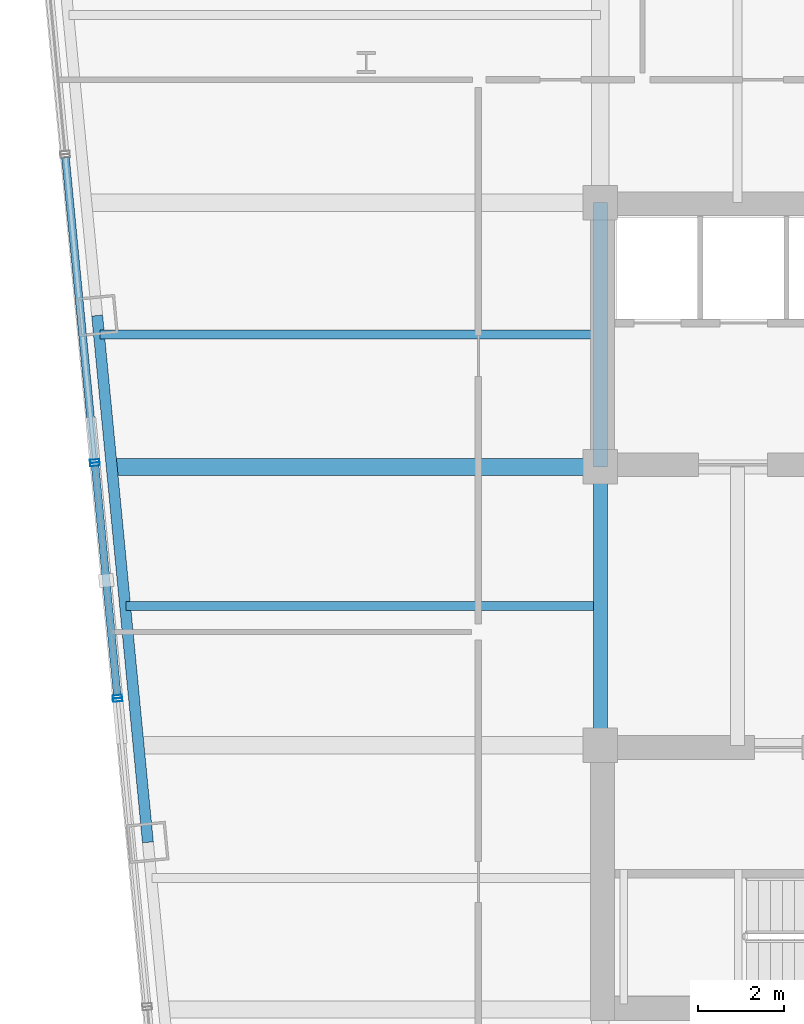
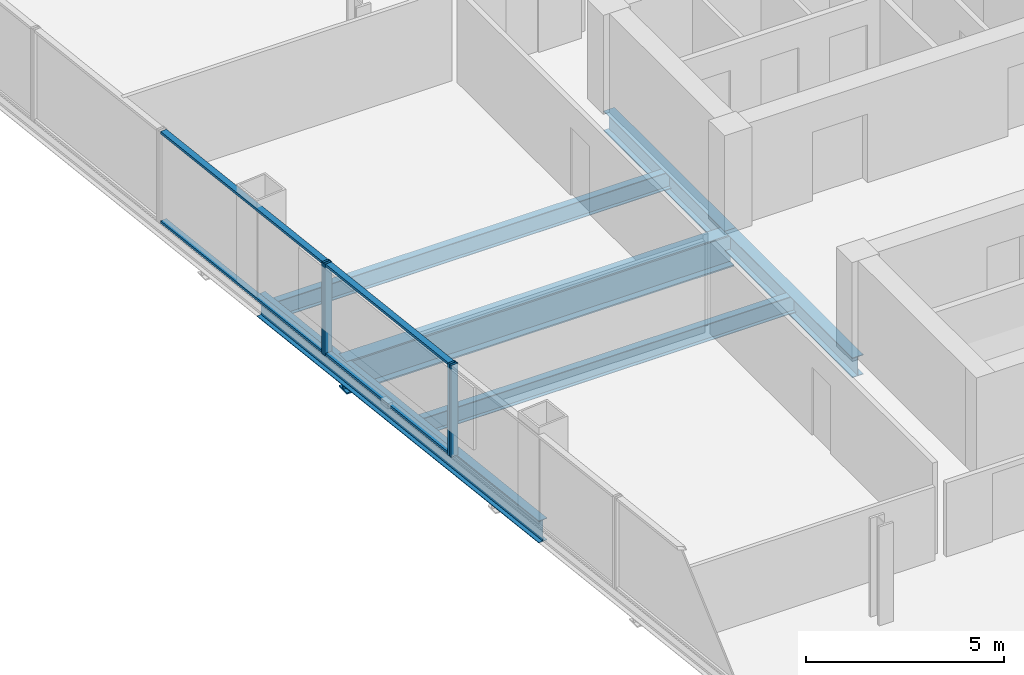
# One storey, part 7 of 27: 8 members, 6 beams, 3 elements without a shape of their own.
"""IFC4 building model written with IfcOpenShell, lengths in metres."""

from ifc_helpers import new_model, si_unit, direction, frame, origin, origin_2d, place, context, subcontext, project, spatial, hollow_rectangle, i_section, extrude, material, layer, layer_set, material_profile, profile_set, type_object, element, aggregate, save


model = new_model("IFC4")

# Units and contexts
model_context = context("Model", 3, precision=1e-05, world=origin(), true_north=direction((0.0, 1.0)))
body_context = subcontext(model_context, "Body", "Model", "MODEL_VIEW")
ifc_project = project(units=[si_unit("LENGTHUNIT", "METRE"), si_unit("AREAUNIT", "SQUARE_METRE"), si_unit("VOLUMEUNIT", "CUBIC_METRE"), si_unit("PLANEANGLEUNIT", "RADIAN"), si_unit("MASSUNIT", "GRAM", prefix="KILO")], contexts=[model_context])

# Site, building, storey
site_placement = place(None, origin())
site = spatial("IfcSite", under=ifc_project, at=site_placement, CompositionType="ELEMENT")
building_placement = place(site_placement, origin())
building = spatial("IfcBuilding", under=site, at=building_placement, Name="Qhalaya Broadcast Tower", CompositionType="ELEMENT")
storey_placement = place(building_placement, frame((0.0, 0.0, 84.699951171875)))
storey = spatial("IfcBuildingStorey", under=building, at=storey_placement, Name="L24", CompositionType="ELEMENT", Elevation=84.699951171875)

# Beams
ifc_material_1 = material(Name="Structural Steel ASTM A992 Grade 50", Category="steel")
ifc_material_profile_1 = material_profile(ifc_material_1, i_section(OverallWidth=0.2099609375, OverallDepth=0.535888671875, WebThickness=0.010986328125, FlangeThickness=0.017333984375, at=origin_2d()), Name="W21X68")
ifc_profile_set_1 = profile_set([ifc_material_profile_1], Name="Structural Steel ASTM A992 Grade 50")
beam_type_1 = type_object("IfcBeamType", Name="Composite Floor Joist J02", PredefinedType="JOIST", material=ifc_profile_set_1)
beam_1_placement = place(storey_placement, frame((-20.368408203125, 0.60009765625, -0.488037109375), z_axis=(1.0, 0.0, 0.0), x_axis=(0.0, 1.0, 0.0)))
element("IfcBeam", 1, at=beam_1_placement, inside=storey, type_object=beam_type_1, Name="L24 J02 L24-JWE4W-1", PredefinedType="JOIST", context=body_context, shape_type="SweptSolid", body=[
    extrude(i_section(OverallWidth=0.2099609375, OverallDepth=0.535888671875, WebThickness=0.010986328125, FlangeThickness=0.017333984375, at=origin_2d()), origin(), (0.0, 0.0, 1.0), 10.993408203125),
])
beam_2_placement = place(storey_placement, frame((-20.974853515625, 6.89990234375, -0.488037109375), z_axis=(1.0, 0.0, 0.0), x_axis=(0.0, 1.0, 0.0)))
element("IfcBeam", 2, at=beam_2_placement, inside=storey, type_object=beam_type_1, Name="L24 J02 L24-JWE5W-1", PredefinedType="JOIST", context=body_context, shape_type="SweptSolid", body=[
    extrude(i_section(OverallWidth=0.2099609375, OverallDepth=0.535888671875, WebThickness=0.010986328125, FlangeThickness=0.017333984375, at=origin_2d()), origin(), (0.0, 0.0, 1.0), 11.599853515625),
])
ifc_material_profile_2 = material_profile(ifc_material_1, i_section(OverallWidth=0.323974609375, OverallDepth=0.612060546875, WebThickness=0.0126953125, FlangeThickness=0.01904296875, at=origin_2d()), Name="W24X104")
ifc_profile_set_2 = profile_set([ifc_material_profile_2], Name="Structural Steel ASTM A992 Grade 50")
beam_type_2 = type_object("IfcBeamType", Name="Core Frame Tie Beam B04", PredefinedType="BEAM", material=ifc_profile_set_2)
beam_3_placement = place(storey_placement, frame((-9.375, 3.824951171875, -0.52587890625), z_axis=(0.0, 1.0, 0.0), x_axis=(-1.0, 0.0, 0.0)))
element("IfcBeam", 3, at=beam_3_placement, inside=storey, type_object=beam_type_2, Name="L24 B04 L24-CCN2", PredefinedType="BEAM", context=body_context, shape_type="SweptSolid", body=[
    extrude(i_section(OverallWidth=0.323974609375, OverallDepth=0.612060546875, WebThickness=0.0126953125, FlangeThickness=0.01904296875, at=origin_2d()), origin(), (0.0, 0.0, 1.0), 6.125),
])
beam_4_placement = place(storey_placement, frame((-9.375, -2.625, -0.52587890625), z_axis=(0.0, 1.0, 0.0), x_axis=(-1.0, 0.0, 0.0)))
element("IfcBeam", 4, at=beam_4_placement, inside=storey, type_object=beam_type_2, Name="L24 B04 L24-CCW", PredefinedType="BEAM", context=body_context, shape_type="SweptSolid", body=[
    extrude(i_section(OverallWidth=0.323974609375, OverallDepth=0.612060546875, WebThickness=0.0126953125, FlangeThickness=0.01904296875, at=origin_2d()), origin(), (0.0, 0.0, 1.0), 6.449951171875),
])
ifc_material_profile_3 = material_profile(ifc_material_1, i_section(OverallWidth=0.40087890625, OverallDepth=1.010986328125, WebThickness=0.023681640625, FlangeThickness=0.0419921875, at=origin_2d()), Name="W40X297")
ifc_profile_set_3 = profile_set([ifc_material_profile_3], Name="Structural Steel ASTM A992 Grade 50")
beam_type_3 = type_object("IfcBeamType", Name="Lower Block Primary Girder PG2", PredefinedType="USERDEFINED", material=ifc_profile_set_3)
beam_5_placement = place(storey_placement, frame((-20.6787109375, 3.824951171875, -0.725341796875), z_axis=(1.0, 0.0, 0.0), x_axis=(0.0, 1.0, 0.0)))
element("IfcBeam", 5, at=beam_5_placement, inside=storey, type_object=beam_type_3, Name="L24 PG2 L24-PGYW3-1", ObjectType="GIRDER", PredefinedType="USERDEFINED", context=body_context, shape_type="SweptSolid", body=[
    extrude(i_section(OverallWidth=0.40087890625, OverallDepth=1.010986328125, WebThickness=0.023681640625, FlangeThickness=0.0419921875, at=origin_2d()), origin(), (0.0, 0.0, 1.0), 11.3037109375),
])
ifc_material_profile_4 = material_profile(ifc_material_1, i_section(OverallWidth=0.25390625, OverallDepth=0.68310546875, WebThickness=0.012451171875, FlangeThickness=0.01904296875, at=origin_2d()), Name="W27X94")
ifc_profile_set_4 = profile_set([ifc_material_profile_4], Name="Structural Steel ASTM A992 Grade 50")
beam_type_4 = type_object("IfcBeamType", Name="Perimeter Ring Spandrel Beam SP1", PredefinedType="SPANDREL", material=ifc_profile_set_4)
beam_6_placement = place(storey_placement, frame((-21.036865234375, 7.335205078125, -0.5615234375), z_axis=(0.095851586307, -0.99539563662, 0.0), x_axis=(0.99539563662, 0.095851586307, 0.0)))
element("IfcBeam", 6, at=beam_6_placement, inside=storey, type_object=beam_type_4, Name="L24 SP1 L24-SPR-14", PredefinedType="SPANDREL", context=body_context, shape_type="SweptSolid", body=[
    extrude(i_section(OverallWidth=0.25390625, OverallDepth=0.68310546875, WebThickness=0.012451171875, FlangeThickness=0.01904296875, at=origin_2d()), origin(), (0.0, 0.0, 1.0), 12.2666015625),
])

# Curtain wall, member
ifc_material_2 = material(Name="Fired Architectural Terracotta", Category="masonry")
ifc_layer_1 = layer(ifc_material_2, 0.219970703125, Name="Fired Architectural Terracotta")
ifc_layer_set_1 = layer_set([ifc_layer_1], Name="Fired Architectural Terracotta")
curtain_wall_type_1 = type_object("IfcCurtainWallType", Name="Block-Cap Unitised Terracotta Spandrel Wall CW-07", PredefinedType="NOTDEFINED", material=ifc_layer_set_1)
curtain_wall_1_placement = place(storey_placement, origin())
curtain_wall_1 = element("IfcCurtainWall", 7, at=curtain_wall_1_placement, inside=storey, type_object=curtain_wall_type_1, Name="L24 Unitised Curtain Wall L24-CW-W3", PredefinedType="NOTDEFINED")
ifc_material_3 = material(Name="Anodised Aluminium 6063-T6", Category="aluminium")
ifc_material_profile_5 = material_profile(ifc_material_3, hollow_rectangle(XDim=0.074951171875, YDim=0.219970703125, WallThickness=0.00390625, at=origin_2d()), Name="ALU-MUL 75x220x4")
ifc_profile_set_5 = profile_set([ifc_material_profile_5], Name="Anodised Aluminium 6063-T6")
member_type_1 = type_object("IfcMemberType", Name="Unitised Curtain-Wall Mullion M01", PredefinedType="MULLION", material=ifc_profile_set_5)
member_1_placement = place(storey_placement, frame((-21.09375, 3.96142578125, 0.0), z_axis=(0.0, 0.0, 1.0), x_axis=(0.095850652435, -0.995395726547, 0.0)))
member_1 = element("IfcMember", 8, at=member_1_placement, type_object=member_type_1, Name="CW-07 mullion 2", PredefinedType="MULLION", context=body_context, shape_type="SweptSolid", body=[
    extrude(hollow_rectangle(XDim=0.074951171875, YDim=0.219970703125, WallThickness=0.00390625, at=origin_2d()), origin(), (0.0, 0.0, 1.0), 2.830078125),
])

# Curtain wall, members
ifc_material_4 = material(Name="Solar-Control Low-E Triple Glazing", Category="glass")
ifc_layer_2 = layer(ifc_material_4, 0.219970703125, Name="Solar-Control Low-E Triple Glazing")
ifc_layer_set_2 = layer_set([ifc_layer_2], Name="Solar-Control Low-E Triple Glazing")
curtain_wall_type_2 = type_object("IfcCurtainWallType", Name="Even-Block 4-Storey Double-Module Curtain Wall CW-03", PredefinedType="NOTDEFINED", material=ifc_layer_set_2)
curtain_wall_2_placement = place(storey_placement, origin())
curtain_wall_2 = element("IfcCurtainWall", 9, at=curtain_wall_2_placement, inside=storey, type_object=curtain_wall_type_2, Name="L24 Unitised Curtain Wall L24-CW-W4", PredefinedType="NOTDEFINED")
member_2_placement = place(storey_placement, frame((-21.086669921875, 3.88671875, 0.0), z_axis=(0.0, 0.0, 1.0), x_axis=(0.095843001098, -0.995396463295, 0.0)))
member_2 = element("IfcMember", 10, at=member_2_placement, type_object=member_type_1, Name="CW-03 mullion 1", PredefinedType="MULLION", context=body_context, shape_type="SweptSolid", body=[
    extrude(hollow_rectangle(XDim=0.074951171875, YDim=0.219970703125, WallThickness=0.00390625, at=origin_2d()), origin(), (0.0, 0.0, 1.0), 2.830078125),
])
member_3_placement = place(storey_placement, frame((-20.568115234375, -1.499267578125, 0.0), z_axis=(0.0, 0.0, 1.0), x_axis=(0.095843001098, -0.995396463295, 0.0)))
member_3 = element("IfcMember", 11, at=member_3_placement, type_object=member_type_1, Name="CW-03 mullion 2", PredefinedType="MULLION", context=body_context, shape_type="SweptSolid", body=[
    extrude(hollow_rectangle(XDim=0.074951171875, YDim=0.219970703125, WallThickness=0.00390625, at=origin_2d()), origin(), (0.0, 0.0, 1.0), 2.830078125),
])

# Curtain wall, member
curtain_wall_3_placement = place(storey_placement, origin())
curtain_wall_3 = element("IfcCurtainWall", 12, at=curtain_wall_3_placement, inside=storey, type_object=curtain_wall_type_1, Name="L24 Unitised Curtain Wall L24-CW-W5", PredefinedType="NOTDEFINED")
member_4_placement = place(storey_placement, frame((-20.560791015625, -1.573974609375, 0.0), z_axis=(0.0, 0.0, 1.0), x_axis=(0.095850652435, -0.995395726547, 0.0)))
member_4 = element("IfcMember", 13, at=member_4_placement, type_object=member_type_1, Name="CW-07 mullion 1", PredefinedType="MULLION", context=body_context, shape_type="SweptSolid", body=[
    extrude(hollow_rectangle(XDim=0.074951171875, YDim=0.219970703125, WallThickness=0.00390625, at=origin_2d()), origin(), (0.0, 0.0, 1.0), 2.830078125),
])
aggregate(curtain_wall_3, [member_4])

# Member
ifc_material_profile_6 = material_profile(ifc_material_3, hollow_rectangle(XDim=0.074951171875, YDim=0.179931640625, WallThickness=0.00390625, at=origin_2d()), Name="ALU-TRN 75x180x4")
ifc_profile_set_6 = profile_set([ifc_material_profile_6], Name="Anodised Aluminium 6063-T6")
member_type_2 = type_object("IfcMemberType", Name="Unitised Curtain-Wall Transom T01", PredefinedType="USERDEFINED", material=ifc_profile_set_6)
member_5_placement = place(storey_placement, frame((-21.771240234375, 10.997314453125, 0.03759765625), z_axis=(0.095838119582, -0.995396933306, 0.0), x_axis=(0.0, 0.0, 1.0)))
member_5 = element("IfcMember", 14, at=member_5_placement, type_object=member_type_2, Name="CW-07 transom 1.1", ObjectType="TRANSOM", PredefinedType="USERDEFINED", context=body_context, shape_type="SweptSolid", body=[
    extrude(hollow_rectangle(XDim=0.074951171875, YDim=0.179931640625, WallThickness=0.00390625, at=origin_2d()), origin(), (0.0, 0.0, 1.0), 7.031005859375),
])

member_6_placement = place(storey_placement, frame((-21.771240234375, 10.997314453125, 2.79248046875), z_axis=(0.095838119582, -0.995396933306, 0.0), x_axis=(0.0, 0.0, 1.0)))
member_6 = element("IfcMember", 15, at=member_6_placement, type_object=member_type_2, Name="CW-07 transom 1.2", ObjectType="TRANSOM", PredefinedType="USERDEFINED", context=body_context, shape_type="SweptSolid", body=[
    extrude(hollow_rectangle(XDim=0.074951171875, YDim=0.179931640625, WallThickness=0.00390625, at=origin_2d()), origin(), (0.0, 0.0, 1.0), 7.031005859375),
])

aggregate(curtain_wall_1, [member_1, member_5, member_6])

member_7_placement = place(storey_placement, frame((-21.0830078125, 3.849365234375, 0.03759765625), z_axis=(0.09585189358, -0.995395607031, 0.0), x_axis=(0.0, 0.0, 1.0)))
member_7 = element("IfcMember", 16, at=member_7_placement, type_object=member_type_2, Name="CW-03 transom 1.1", ObjectType="TRANSOM", PredefinedType="USERDEFINED", context=body_context, shape_type="SweptSolid", body=[
    extrude(hollow_rectangle(XDim=0.074951171875, YDim=0.179931640625, WallThickness=0.00390625, at=origin_2d()), origin(), (0.0, 0.0, 1.0), 5.336181640625),
])

member_8_placement = place(storey_placement, frame((-21.0830078125, 3.849365234375, 2.79248046875), z_axis=(0.09585189358, -0.995395607031, 0.0), x_axis=(0.0, 0.0, 1.0)))
member_8 = element("IfcMember", 17, at=member_8_placement, type_object=member_type_2, Name="CW-03 transom 1.2", ObjectType="TRANSOM", PredefinedType="USERDEFINED", context=body_context, shape_type="SweptSolid", body=[
    extrude(hollow_rectangle(XDim=0.074951171875, YDim=0.179931640625, WallThickness=0.00390625, at=origin_2d()), origin(), (0.0, 0.0, 1.0), 5.336181640625),
])

aggregate(curtain_wall_2, [member_2, member_3, member_7, member_8])

save(model, "model.ifc")
